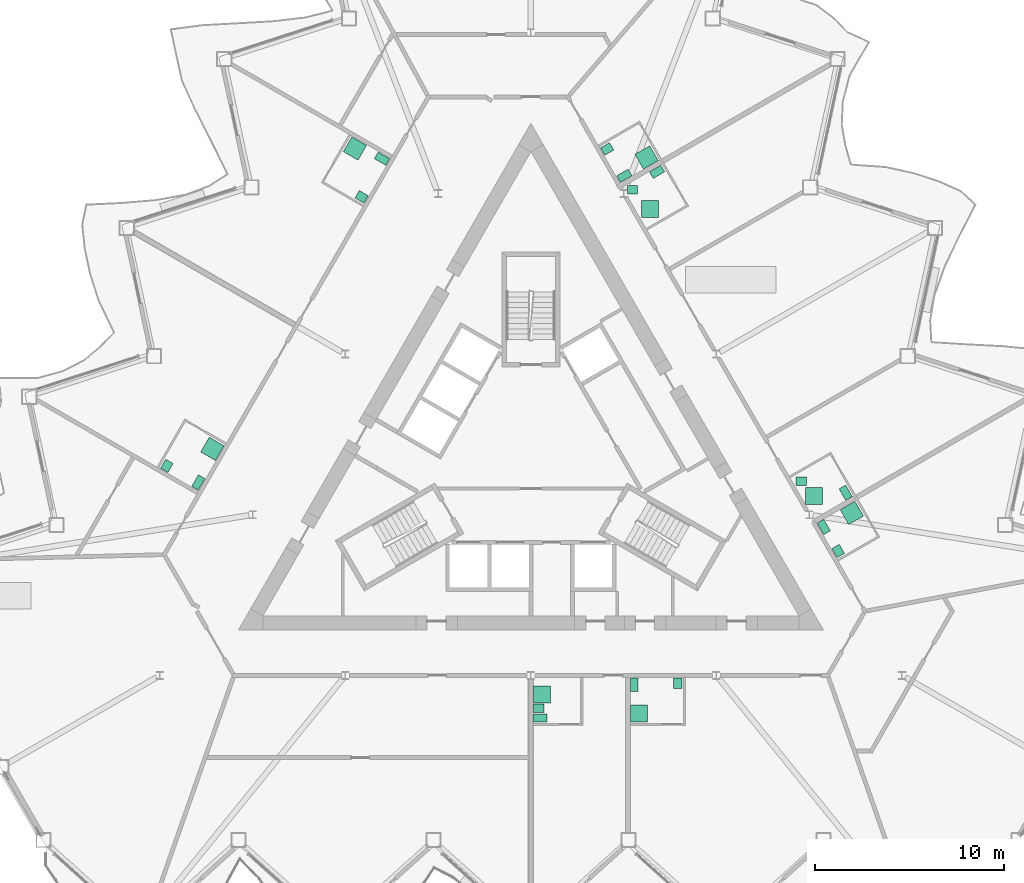
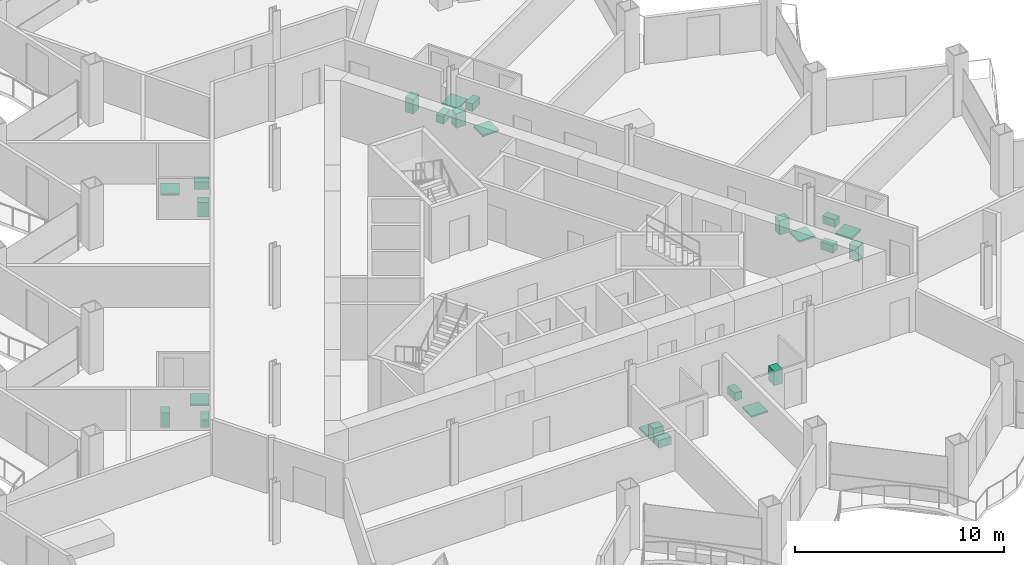
# One storey, part 21 of 22: 24 sanitary terminals.
"""IFC4 building model written with IfcOpenShell, lengths in metres."""

import ifcopenshell
import ifcopenshell.guid

model = None  # the IFC model being written
_history = None  # IfcOwnerHistory: only IFC2X3 demands one
_inside = {}  # id of a spatial element -> (the spatial element, [elements in it])
_under = {}  # id of a project, library or spatial element -> (it, [spatial elements below it])
_declared = {}  # id of a project -> (the project, [libraries it declares])
_typed = {}  # id of a type object -> (the type object, [elements of that type])
_made_of = {}  # id of a material, layer set ... -> (it, [elements and type objects made of it])


def new_model(schema):
    """Start an empty IFC model of exactly this schema.

    Asked for "IFC4X3", IfcOpenShell would pick the latest addendum, in which some entities
    have other attributes; the version numbers below select the first issue.
    IFC2X3 requires an IfcOwnerHistory on every rooted entity: one is made here for all.
    """
    global model, _history
    if schema == "IFC4X3":
        model = ifcopenshell.file(schema_version=(4, 3, 0, 0))
    else:
        model = ifcopenshell.file(schema=schema)
    _inside.clear()
    _under.clear()
    _declared.clear()
    _typed.clear()
    _made_of.clear()
    _history = None
    if model.schema == "IFC2X3":
        org = make("IfcOrganization", Name="unknown")
        user = make(
            "IfcPersonAndOrganization",
            ThePerson=make("IfcPerson", FamilyName="unknown"),
            TheOrganization=org,
        )
        app = make(
            "IfcApplication",
            ApplicationDeveloper=org,
            Version="unknown",
            ApplicationFullName="unknown",
            ApplicationIdentifier="unknown",
        )
        _history = make(
            "IfcOwnerHistory",
            OwningUser=user,
            OwningApplication=app,
            ChangeAction="ADDED",
            CreationDate=0,
        )
    return model


def make(cls, **values):
    """One entity of the class cls with the attributes given. An attribute that is None is left unset."""
    return model.create_entity(
        cls, **{name: value for name, value in values.items() if value is not None}
    )


def rooted(cls, **values):
    """An entity with a GlobalId (a new one), such as an element, a storey or a relation."""
    return make(cls, GlobalId=ifcopenshell.guid.new(), OwnerHistory=_history, **values)


def si_unit(unit_type, name, prefix=None):
    """IfcSIUnit, for example si_unit("LENGTHUNIT", "METRE", prefix="MILLI")."""
    return make("IfcSIUnit", UnitType=unit_type, Prefix=prefix, Name=name)


def assignment(units):
    """IfcUnitAssignment: the units of a project."""
    return None if units is None else make("IfcUnitAssignment", Units=units)


def point(xyz):
    """IfcCartesianPoint."""
    return None if xyz is None else make("IfcCartesianPoint", Coordinates=xyz)


def direction(xyz):
    """IfcDirection."""
    return None if xyz is None else make("IfcDirection", DirectionRatios=xyz)


def frame(location, z_axis=None, x_axis=None):
    """IfcAxis2Placement3D, a coordinate frame: its origin and axes. An axis left out is left unset."""
    return make(
        "IfcAxis2Placement3D",
        Location=point(location),
        Axis=direction(z_axis),
        RefDirection=direction(x_axis),
    )


def frame_2d(location, x_axis=None):
    """IfcAxis2Placement2D, a coordinate frame in the plane: its origin and x axis."""
    return make(
        "IfcAxis2Placement2D", Location=point(location), RefDirection=direction(x_axis)
    )


def origin():
    """The frame at (0, 0, 0) with its axes left unset."""
    return frame((0.0, 0.0, 0.0))


def origin_2d():
    """The frame at (0, 0) in the plane with its x axis left unset."""
    return frame_2d((0.0, 0.0))


def place(relative_to, where):
    """IfcLocalPlacement: puts the frame where relative to a parent placement (None: the world)."""
    return make(
        "IfcLocalPlacement", PlacementRelTo=relative_to, RelativePlacement=where
    )


def context(
    kind, dimensions, precision=None, world=None, true_north=None, identifier=None
):
    """IfcGeometricRepresentationContext, for example the 3D "Model" context."""
    return make(
        "IfcGeometricRepresentationContext",
        ContextIdentifier=identifier,
        ContextType=kind,
        CoordinateSpaceDimension=dimensions,
        Precision=precision,
        WorldCoordinateSystem=world,
        TrueNorth=true_north,
    )


def subcontext(parent, identifier, kind, view, scale=None):
    """IfcGeometricRepresentationSubContext, for example "Body" below "Model"."""
    return make(
        "IfcGeometricRepresentationSubContext",
        ContextIdentifier=identifier,
        ContextType=kind,
        ParentContext=parent,
        TargetScale=scale,
        TargetView=view,
    )


def project(units=None, contexts=None):
    """IfcProject with its units and contexts."""
    return rooted(
        "IfcProject",
        Name="project",
        RepresentationContexts=contexts,
        UnitsInContext=assignment(units),
    )


def spatial(cls, under=None, at=None, **own):
    """A site, building, storey or space (cls), placed at a placement, below another one or the project."""
    s = rooted(cls, ObjectPlacement=at, **own)
    if under is not None:
        _under.setdefault(under.id(), (under, []))[1].append(s)
    return s


def profile(cls, at=None, kind="AREA", **sizes):
    """A parametric profile (cls). Its sizes go by their IFC names, for example OverallWidth=200.0."""
    return make(cls, ProfileType=kind, Position=at, **sizes)


def rectangle(**sizes):
    """IfcRectangleProfileDef."""
    return profile("IfcRectangleProfileDef", **sizes)


def extrude(swept, where, along, depth):
    """IfcExtrudedAreaSolid: the profile swept, set in the frame where, extruded along a direction by depth."""
    return make(
        "IfcExtrudedAreaSolid",
        SweptArea=swept,
        Position=where,
        ExtrudedDirection=direction(along),
        Depth=depth,
    )


def shape(context_of_items, identifier, shape_type, items):
    """IfcShapeRepresentation: the items that make up one representation, for example the "Body"."""
    return make(
        "IfcShapeRepresentation",
        ContextOfItems=context_of_items,
        RepresentationIdentifier=identifier,
        RepresentationType=shape_type,
        Items=items,
    )


def material(Name=None, Category=None):
    """IfcMaterial."""
    return make("IfcMaterial", Name=Name, Category=Category)


def made_of(thing, what):
    """Note that an element or type object is made of a material, layer set ...; save() writes the relation."""
    if what is not None:
        _made_of.setdefault(what.id(), (what, []))[1].append(thing)
    return thing


def type_object(cls, material=None, **own):
    """A type object (cls), such as IfcWallType, which elements share."""
    return made_of(rooted(cls, **own), material)


def element(
    cls,
    number,
    at=None,
    inside=None,
    cuts=None,
    type_object=None,
    material=None,
    context=None,
    identifier="Body",
    shape_type=None,
    held_by="IfcProductDefinitionShape",
    body=None,
    shapes=None,
    **own,
):
    """One element of the class cls, such as IfcWall. Its Tag is "e" and its number.

    at: its placement. inside: the storey or other place that contains it. cuts: it is an
    opening in that element (IfcRelVoidsElement). A single representation is given by context,
    identifier, shape_type and body (its items); several are given by shapes. held_by: the class
    of the entity that holds the representations. save() writes the other relations.
    """
    e = rooted(cls, Tag="e%d" % number, ObjectPlacement=at, **own)
    if body is not None:
        shapes = [shape(context, identifier, shape_type, body)]
    if shapes is not None:
        e.Representation = make(held_by, Representations=shapes)
    if inside is not None:
        _inside.setdefault(inside.id(), (inside, []))[1].append(e)
    if cuts is not None:
        rooted(
            "IfcRelVoidsElement", RelatingBuildingElement=cuts, RelatedOpeningElement=e
        )
    if type_object is not None:
        _typed.setdefault(type_object.id(), (type_object, []))[1].append(e)
    return made_of(e, material)


def aggregate(whole, parts):
    """IfcRelAggregates: a whole, such as a stair, and the parts it consists of."""
    return rooted("IfcRelAggregates", RelatingObject=whole, RelatedObjects=parts)


def save(model, path):
    """Write the relations noted so far, then the file.

    IfcRelAggregates (storeys below a building ...), IfcRelContainedInSpatialStructure (elements
    in a storey), IfcRelDefinesByType, IfcRelAssociatesMaterial and IfcRelDeclares: one each for
    every whole, place, type object, material and project.
    """
    for whole, parts in _under.values():
        aggregate(whole, parts)
    for where, things in _inside.values():
        rooted(
            "IfcRelContainedInSpatialStructure",
            RelatedElements=things,
            RelatingStructure=where,
        )
    for kind, things in _typed.values():
        rooted("IfcRelDefinesByType", RelatedObjects=things, RelatingType=kind)
    for what, things in _made_of.values():
        rooted("IfcRelAssociatesMaterial", RelatedObjects=things, RelatingMaterial=what)
    for by, libraries in _declared.values():
        rooted("IfcRelDeclares", RelatingContext=by, RelatedDefinitions=libraries)
    model.write(path)


model = new_model("IFC4")

# Units and contexts
model_context = context("Model", 3, precision=1e-05, world=origin(), true_north=direction((0.0, 1.0)))
body_context = subcontext(model_context, "Body", "Model", "MODEL_VIEW")
ifc_project = project(units=[si_unit("LENGTHUNIT", "METRE"), si_unit("AREAUNIT", "SQUARE_METRE"), si_unit("VOLUMEUNIT", "CUBIC_METRE"), si_unit("PLANEANGLEUNIT", "RADIAN"), si_unit("MASSUNIT", "GRAM", prefix="KILO")], contexts=[model_context])

# Site, building, storey
site_placement = place(None, origin())
site = spatial("IfcSite", under=ifc_project, at=site_placement, CompositionType="ELEMENT")
building_placement = place(site_placement, origin())
building = spatial("IfcBuilding", under=site, at=building_placement, Name="Cormorant Prow Tower", CompositionType="ELEMENT")
storey_placement = place(building_placement, frame((0.0, 0.0, 194.39990234375)))
storey = spatial("IfcBuildingStorey", under=building, at=storey_placement, Name="L42", CompositionType="ELEMENT", Elevation=194.39990234375)

# Sanitary terminals
ifc_material_1 = material(Name="Vitreous china")
sanitary_terminal_type_1 = type_object("IfcSanitaryTerminalType", Name="Shower tray 900x900", PredefinedType="SHOWER", material=ifc_material_1)
for number, where, z_axis, x_axis, name in (
    (1, (0.594970703125, -12.35400390625, 0.0), (0.0, 0.0, 1.0), (1.0, 0.0, 0.0), "Shower tray"),
    (2, (5.7333984375, -13.35400390625, 0.0), (0.0, 0.0, 1.0), (0.0, 1.0, 0.0), "Shower tray"),
    (3, (17.0009765625, -2.738525390625, 0.0), (0.0, 0.0, 1.0), (0.5, -0.866025403784, 0.0), "Shower tray"),
    (4, (14.996826171875, -1.845947265625, 0.0), (0.0, 0.0, 1.0), (1.0, 0.0, 0.0), "Shower tray"),
    (5, (6.305419921875, 13.3662109375, 0.0), (0.0, 0.0, 1.0), (1.0, 0.0, 0.0), "Shower tray"),
    (6, (6.12890625, 16.09228515625, 0.0), (0.0, 0.0, 1.0), (-0.866025403784, -0.5, 0.0), "Shower tray"),
    (7, (-9.322021484375, 16.56201171875, 0.0), (0.0, 0.0, 1.0), (0.866025403784, -0.5, 0.0), "Shower tray"),
    (8, (-16.877685546875, 0.654541015625, 0.0), (0.0, 0.0, 1.0), (-0.5, -0.866025403784, 0.0), "Shower tray"),
):
    element("IfcSanitaryTerminal", number, at=place(storey_placement, frame(where, z_axis=z_axis, x_axis=x_axis)), inside=storey, type_object=sanitary_terminal_type_1, Name=name, PredefinedType="SHOWER", context=body_context, shape_type="SweptSolid", body=[
        extrude(rectangle(XDim=0.89990234375, YDim=0.89990234375, at=origin_2d()), origin(), (0.0, 0.0, 1.0), 0.10009765625),
    ])
ifc_material_2 = material(Name="Vitreous china")
sanitary_terminal_type_2 = type_object("IfcSanitaryTerminalType", Name="Wash basin 550x450", PredefinedType="WASHHANDBASIN", material=ifc_material_2)
for number, where, z_axis, x_axis, name in (
    (9, (0.419921875, -13.078857421875, 0.0), (0.0, 0.0, 1.0), (1.0, 0.0, 0.0), "Wash basin"),
    (10, (7.7685546875, -11.768798828125, 0.0), (0.0, 0.0, 1.0), (0.0, -1.0, 0.0), "Wash basin"),
    (11, (16.27734375, -4.75537109375, 0.0), (0.0, 0.0, 1.0), (-0.5, 0.866025403784, 0.0), "Wash basin"),
    (12, (14.32177734375, -1.07080078125, 0.0), (0.0, 0.0, 1.0), (1.0, 0.0, 0.0), "Wash basin"),
    (13, (5.380615234375, 14.39111328125, 0.0), (0.0, 0.0, 1.0), (1.0, 0.0, 0.0), "Wash basin"),
    (14, (4.038818359375, 16.542724609375, 0.0), (0.0, 0.0, 1.0), (0.866025403784, 0.5, 0.0), "Wash basin"),
    (15, (-8.966796875, 14.007080078125, 0.0), (0.0, 0.0, 1.0), (-0.866025403784, 0.5, 0.0), "Wash basin"),
    (16, (-19.286376953125, -0.2470703125, 0.0), (0.0, 0.0, 1.0), (0.5, 0.866025403784, 0.0), "Wash basin"),
):
    element("IfcSanitaryTerminal", number, at=place(storey_placement, frame(where, z_axis=z_axis, x_axis=x_axis)), inside=storey, type_object=sanitary_terminal_type_2, Name=name, PredefinedType="WASHHANDBASIN", context=body_context, shape_type="SweptSolid", body=[
        extrude(rectangle(XDim=0.550048828125, YDim=0.449951171875, at=origin_2d()), origin(), (0.0, 0.0, 1.0), 0.85009765625),
    ])
ifc_material_3 = material(Name="Vitreous china")
sanitary_terminal_type_3 = type_object("IfcSanitaryTerminalType", Name="Water closet 400x700", PredefinedType="WCSEAT", material=ifc_material_3)
for number, where, z_axis, x_axis, name in (
    (17, (0.4951171875, -13.60400390625, 0.0), (0.0, 0.0, 1.0), (0.0, 1.0, 0.0), "Water closet"),
    (18, (5.4833984375, -11.843994140625, 0.0), (0.0, 0.0, 1.0), (1.0, 0.0, 0.0), "Water closet"),
    (19, (15.51318359375, -3.48193359375, 0.0), (0.0, 0.0, 1.0), (0.866025403784, 0.5, 0.0), "Water closet"),
    (20, (16.67236328125, -1.66943359375, 0.0), (0.0, 0.0, 1.0), (-0.866025403784, -0.5, 0.0), "Water closet"),
    (21, (6.685302734375, 15.328369140625, 0.0), (0.0, 0.0, 1.0), (0.5, -0.866025403784, 0.0), "Water closet"),
    (22, (4.946044921875, 15.120849609375, 0.0), (0.0, 0.0, 1.0), (-0.5, 0.866025403784, 0.0), "Water closet"),
    (23, (-7.88916015625, 16.0234375, 0.0), (0.0, 0.0, 1.0), (-0.5, -0.866025403784, 0.0), "Water closet"),
    (24, (-17.6162109375, -1.12451171875, 0.0), (0.0, 0.0, 1.0), (-0.866025403784, 0.5, 0.0), "Water closet"),
):
    element("IfcSanitaryTerminal", number, at=place(storey_placement, frame(where, z_axis=z_axis, x_axis=x_axis)), inside=storey, type_object=sanitary_terminal_type_3, Name=name, PredefinedType="WCSEAT", context=body_context, shape_type="SweptSolid", body=[
        extrude(rectangle(XDim=0.39990234375, YDim=0.699951171875, at=origin_2d()), origin(), (0.0, 0.0, 1.0), 0.449951171875),
    ])

save(model, "model.ifc")
